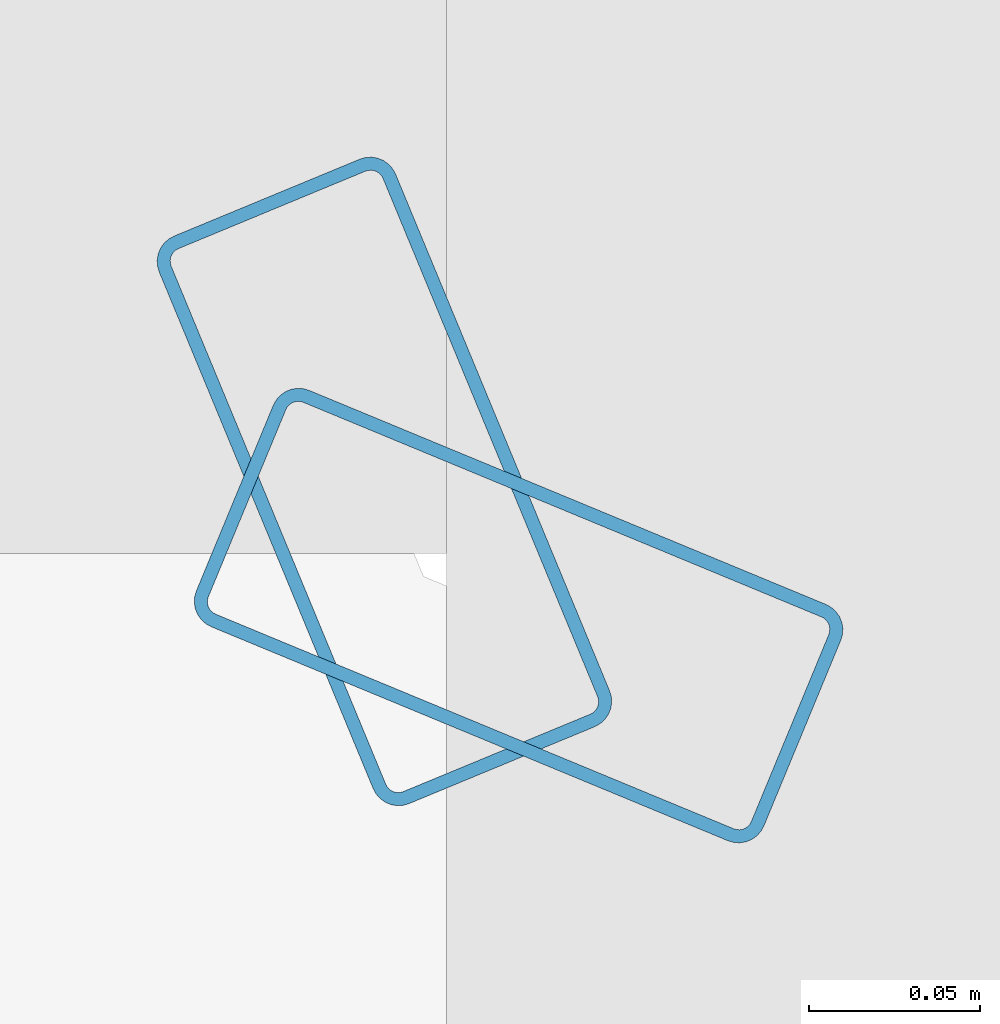
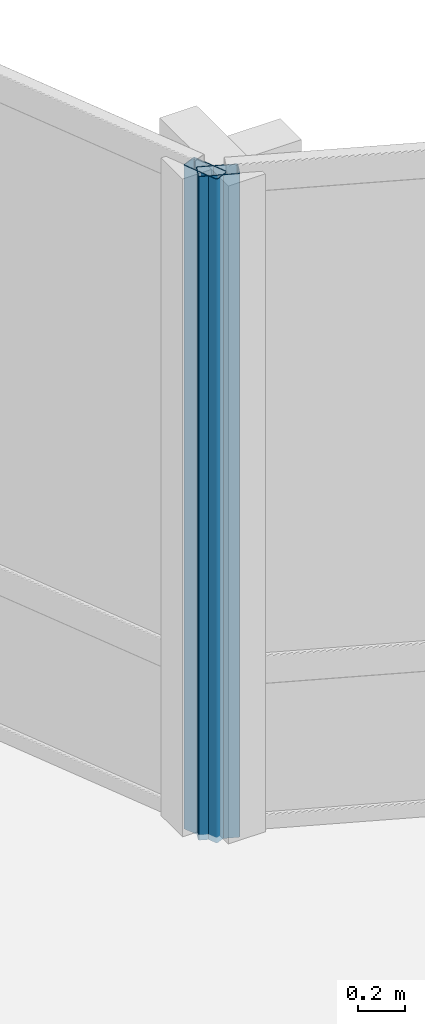
# One storey, part 8 of 27: 2 members, 2 elements without a shape of their own.
"""IFC4 building model written with IfcOpenShell, lengths in metres."""

from ifc_helpers import new_model, si_unit, direction, frame, origin, origin_2d, place, context, subcontext, project, spatial, hollow_rectangle, extrude, material, layer, layer_set, material_profile, profile_set, type_object, element, aggregate, save


model = new_model("IFC4")

# Units and contexts
model_context = context("Model", 3, precision=1e-05, world=origin(), true_north=direction((0.0, 1.0)))
body_context = subcontext(model_context, "Body", "Model", "MODEL_VIEW")
ifc_project = project(units=[si_unit("LENGTHUNIT", "METRE"), si_unit("AREAUNIT", "SQUARE_METRE"), si_unit("VOLUMEUNIT", "CUBIC_METRE"), si_unit("PLANEANGLEUNIT", "RADIAN"), si_unit("MASSUNIT", "GRAM", prefix="KILO")], contexts=[model_context])

# Site, building, storey
site_placement = place(None, origin())
site = spatial("IfcSite", under=ifc_project, at=site_placement, CompositionType="ELEMENT")
building_placement = place(site_placement, origin())
building = spatial("IfcBuilding", under=site, at=building_placement, Name="Solvaryn Broadcast Tower", CompositionType="ELEMENT")
storey_placement = place(building_placement, frame((0.0, 0.0, 189.0)))
storey = spatial("IfcBuildingStorey", under=building, at=storey_placement, Name="L47", CompositionType="ELEMENT", Elevation=189.0)

# Curtain wall, member
ifc_material_1 = material(Name="Aluminium and Terracotta Unitised Curtain Wall", Category="masonry")
ifc_layer = layer(ifc_material_1, 0.199951171875)
ifc_layer_set = layer_set([ifc_layer], Name="CW-SYS2-LOWMID")
curtain_wall_type = type_object("IfcCurtainWallType", Name="CW-SYS2-LOWMID", PredefinedType="NOTDEFINED", material=ifc_layer_set)
curtain_wall_1_placement = place(storey_placement, origin())
curtain_wall_1 = element("IfcCurtainWall", 1, at=curtain_wall_1_placement, inside=storey, type_object=curtain_wall_type, Name="L47 Curtain Wall CN1", PredefinedType="NOTDEFINED")
ifc_material_2 = material(Name="Anodised Aluminium 6063-T6", Category="aluminium")
ifc_material_profile = material_profile(ifc_material_2, hollow_rectangle(XDim=0.074951171875, YDim=0.179931640625, WallThickness=0.00390625, InnerFilletRadius=0.00390625, OuterFilletRadius=0.008056640625, at=origin_2d()))
ifc_profile_set = profile_set([ifc_material_profile], Name="Anodised Aluminium 6063-T6")
member_type = type_object("IfcMemberType", Name="CW-MUL-180", PredefinedType="MULLION", material=ifc_profile_set)
member_1_placement = place(storey_placement, frame((30.395751953125, 30.3564453125, 0.0), z_axis=(0.0, 0.0, 1.0), x_axis=(-0.382646127145, -0.923894983957, 0.0)))
member_1 = element("IfcMember", 2, at=member_1_placement, type_object=member_type, Name="CWS2 mullion 2", PredefinedType="MULLION", context=body_context, shape_type="SweptSolid", body=[
    extrude(hollow_rectangle(XDim=0.074951171875, YDim=0.179931640625, WallThickness=0.00390625, InnerFilletRadius=0.00390625, OuterFilletRadius=0.008056640625, at=origin_2d()), origin(), (0.0, 0.0, 1.0), 3.419921875),
])
aggregate(curtain_wall_1, [member_1])

curtain_wall_2_placement = place(storey_placement, origin())
curtain_wall_2 = element("IfcCurtainWall", 3, at=curtain_wall_2_placement, inside=storey, type_object=curtain_wall_type, Name="L47 Curtain Wall CN2", PredefinedType="NOTDEFINED")
member_2_placement = place(storey_placement, frame((30.3564453125, 30.395751953125, 0.0), z_axis=(0.0, 0.0, 1.0), x_axis=(-0.923894983957, -0.382646127145, 0.0)))
member_2 = element("IfcMember", 4, at=member_2_placement, type_object=member_type, Name="CWS2 mullion 1", PredefinedType="MULLION", context=body_context, shape_type="SweptSolid", body=[
    extrude(hollow_rectangle(XDim=0.074951171875, YDim=0.179931640625, WallThickness=0.00390625, InnerFilletRadius=0.00390625, OuterFilletRadius=0.008056640625, at=origin_2d()), origin(), (0.0, 0.0, 1.0), 3.419921875),
])
aggregate(curtain_wall_2, [member_2])

save(model, "model.ifc")
